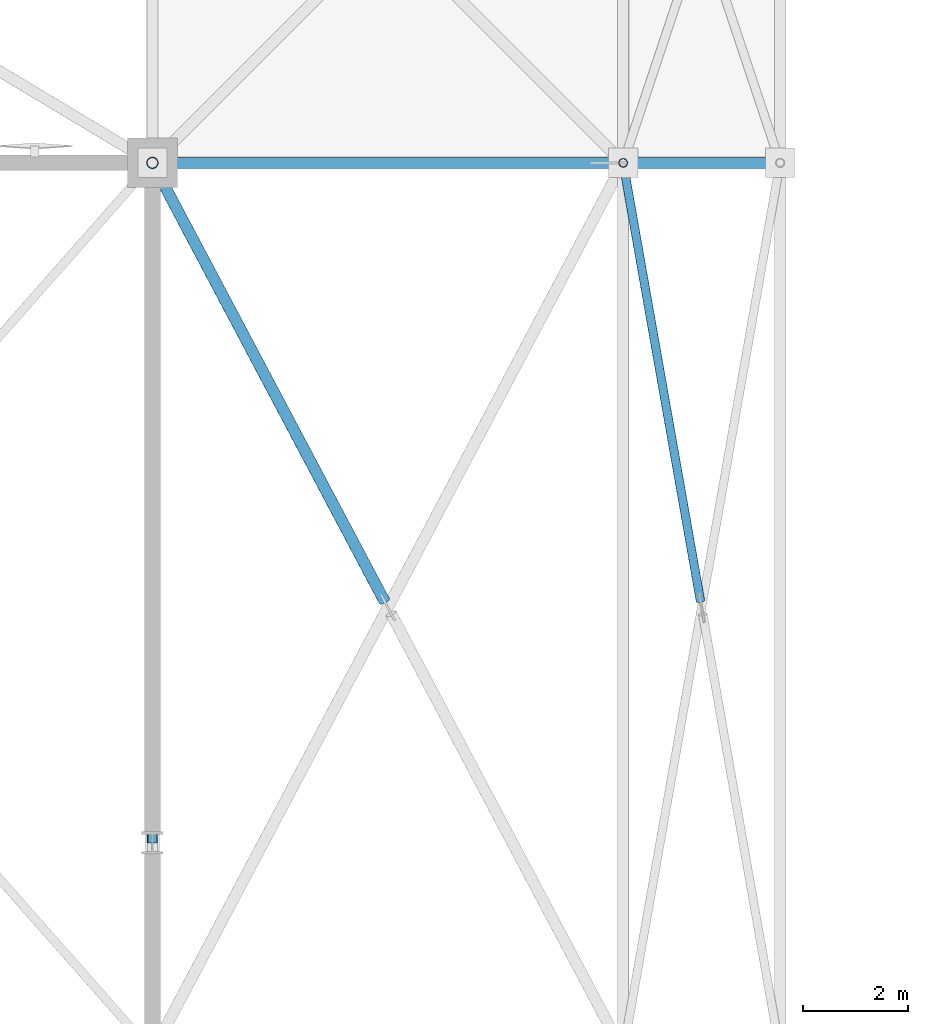
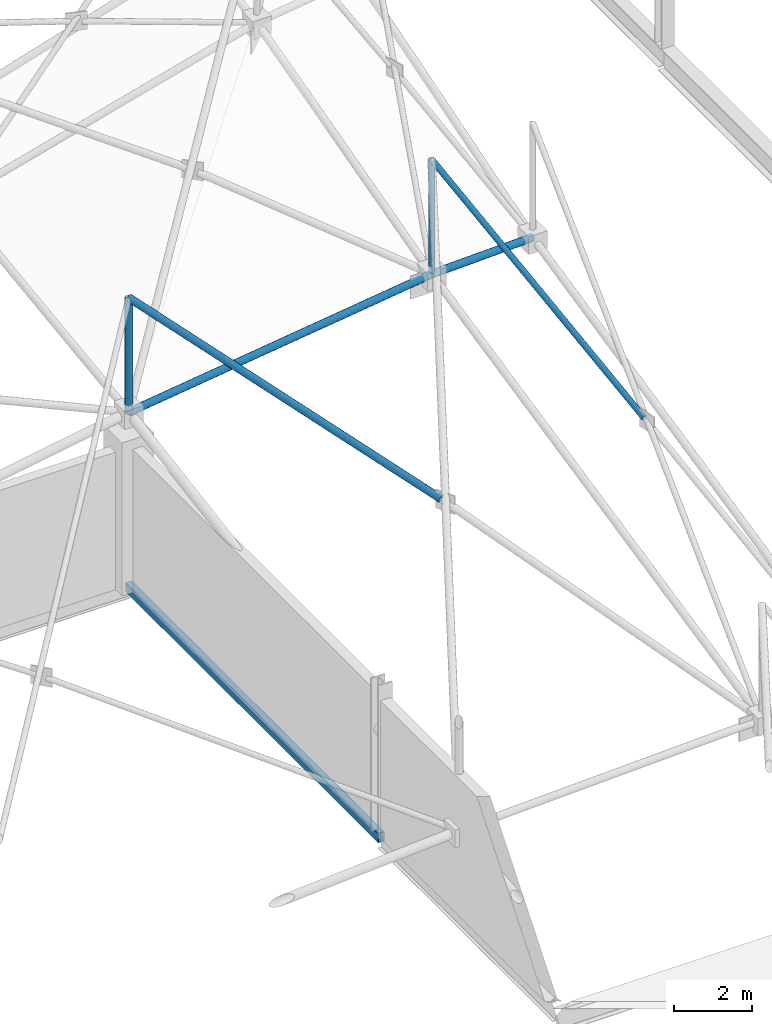
# One storey, part 152 of 224: 6 members, 1 beam.
"""IFC4 building model written with IfcOpenShell, lengths in metres."""

from ifc_helpers import new_model, si_unit, direction, frame, origin, origin_2d, place, context, subcontext, project, spatial, hollow_rectangle, hollow_circle, extrude, material, material_profile, profile_set, type_object, element, save


model = new_model("IFC4")

# Units and contexts
model_context = context("Model", 3, precision=1e-05, world=origin(), true_north=direction((0.0, 1.0)))
body_context = subcontext(model_context, "Body", "Model", "MODEL_VIEW")
ifc_project = project(units=[si_unit("LENGTHUNIT", "METRE"), si_unit("AREAUNIT", "SQUARE_METRE"), si_unit("VOLUMEUNIT", "CUBIC_METRE"), si_unit("PLANEANGLEUNIT", "RADIAN"), si_unit("MASSUNIT", "GRAM", prefix="KILO")], contexts=[model_context])

# Site, building, storey
site_placement = place(None, origin())
site = spatial("IfcSite", under=ifc_project, at=site_placement, CompositionType="ELEMENT")
building_placement = place(site_placement, origin())
building = spatial("IfcBuilding", under=site, at=building_placement, Name="Qamarlyn Nura Convention Centre", CompositionType="ELEMENT")
storey_placement = place(building_placement, frame((0.0, 0.0, 10.800048828125)))
storey = spatial("IfcBuildingStorey", under=building, at=storey_placement, Name="L02", CompositionType="ELEMENT", Elevation=10.800048828125)

# Beam
ifc_material_1 = material(Name="Steel ASTM A500 Grade C", Category="steel")
ifc_material_profile_1 = material_profile(ifc_material_1, hollow_rectangle(XDim=0.199951171875, YDim=0.300048828125, WallThickness=0.012451171875, InnerFilletRadius=0.012451171875, OuterFilletRadius=0.02490234375, at=origin_2d()), Name="HSS300X200X12.5")
ifc_profile_set_1 = profile_set([ifc_material_profile_1], Name="Steel ASTM A500 Grade C")
beam_type = type_object("IfcBeamType", Name="BM-SPAN-HSS", PredefinedType="SPANDREL", material=ifc_profile_set_1)
beam_placement = place(storey_placement, frame((120.0, 90.0, -0.150146484375), z_axis=(0.0, 1.0, 0.0), x_axis=(-1.0, 0.0, 0.0)))
element("IfcBeam", 1, at=beam_placement, inside=storey, type_object=beam_type, Name="L02 girder 9 L-M", PredefinedType="SPANDREL", context=body_context, shape_type="SweptSolid", body=[
    extrude(hollow_rectangle(XDim=0.199951171875, YDim=0.300048828125, WallThickness=0.012451171875, InnerFilletRadius=0.012451171875, OuterFilletRadius=0.02490234375, at=origin_2d()), origin(), (0.0, 0.0, 1.0), 13.0),
])

# Members
ifc_material_2 = material(Name="Pearl-white PVDF steel ASTM A500 Grade C", Category="steel")
ifc_material_profile_2 = material_profile(ifc_material_2, hollow_circle(Radius=0.109619140625, WallThickness=0.010009765625, at=origin_2d()), Name="CHS219.1X10")
ifc_profile_set_2 = profile_set([ifc_material_profile_2], Name="Pearl-white PVDF steel ASTM A500 Grade C")
member_type_1 = type_object("IfcMemberType", Name="SF-BC-EAVE", PredefinedType="CHORD", material=ifc_profile_set_2)
member_1_placement = place(storey_placement, frame((120.0, 103.0, 5.314208984375), z_axis=(0.991351473464, 0.0, 0.131233593492), x_axis=(0.0, 1.0, 0.0)))
element("IfcMember", 2, at=member_1_placement, inside=storey, type_object=member_type_1, Name="ROOF TRUSS space frame bottom chord X10-7", PredefinedType="CHORD", context=body_context, shape_type="SweptSolid", body=[
    extrude(hollow_circle(Radius=0.109619140625, WallThickness=0.010009765625, at=origin_2d()), origin(), (0.0, 0.0, 1.0), 9.07861328125),
])
member_2_placement = place(storey_placement, frame((129.0, 103.0, 6.505615234375), z_axis=(0.999424686189, 0.0, 0.033916023286), x_axis=(0.0, 1.0, 0.0)))
element("IfcMember", 3, at=member_2_placement, inside=storey, type_object=member_type_1, Name="ROOF TRUSS space frame bottom chord X11-7", PredefinedType="CHORD", context=body_context, shape_type="SweptSolid", body=[
    extrude(hollow_circle(Radius=0.109619140625, WallThickness=0.010009765625, at=origin_2d()), origin(), (0.0, 0.0, 1.0), 3.001708984375),
])
ifc_material_profile_3 = material_profile(ifc_material_2, hollow_circle(Radius=0.109619140625, WallThickness=0.010009765625, at=origin_2d()), Name="CHS219.1X10")
ifc_profile_set_3 = profile_set([ifc_material_profile_3], Name="Pearl-white PVDF steel ASTM A500 Grade C")
member_type_2 = type_object("IfcMemberType", Name="SF-WEB-HVY", PredefinedType="BRACE", material=ifc_profile_set_3)
member_3_placement = place(storey_placement, frame((124.4375, 94.617919921875, 6.126220703125), z_axis=(-0.448890650915, 0.847918283334, 0.282013773262), x_axis=(-0.883791047079, -0.467881806766, 0.0)))
element("IfcMember", 4, at=member_3_placement, inside=storey, type_object=member_type_2, Name="ROOF TRUSS space frame split diagonal B2 10-6", PredefinedType="BRACE", context=body_context, shape_type="SweptSolid", body=[
    extrude(hollow_circle(Radius=0.109619140625, WallThickness=0.010009765625, at=origin_2d()), origin(), (0.0, 0.0, 1.0), 9.885498046875),
])
member_4_placement = place(storey_placement, frame((120.0, 103.0, 5.314208984375), z_axis=(0.0, 0.0, 1.0), x_axis=(1.0, 0.0, 0.0)))
element("IfcMember", 5, at=member_4_placement, inside=storey, type_object=member_type_2, Name="ROOF TRUSS space frame vertical 10-7", PredefinedType="BRACE", context=body_context, shape_type="SweptSolid", body=[
    extrude(hollow_circle(Radius=0.109619140625, WallThickness=0.010009765625, at=origin_2d()), origin(), (0.0, 0.0, 1.0), 3.599853515625),
])
ifc_material_profile_4 = material_profile(ifc_material_2, hollow_circle(Radius=0.084228515625, WallThickness=0.008056640625, at=origin_2d()), Name="CHS168.3X8")
ifc_profile_set_4 = profile_set([ifc_material_profile_4], Name="Pearl-white PVDF steel ASTM A500 Grade C")
member_type_3 = type_object("IfcMemberType", Name="SF-WEB-STD", PredefinedType="BRACE", material=ifc_profile_set_4)
member_5_placement = place(storey_placement, frame((130.4775390625, 94.627197265625, 6.554931640625), z_axis=(-0.160360694467, 0.908719434361, 0.385374411819), x_axis=(-0.984783847895, -0.1737836958, 0.0)))
element("IfcMember", 6, at=member_5_placement, inside=storey, type_object=member_type_3, Name="ROOF TRUSS space frame split diagonal B2 11-6", PredefinedType="BRACE", context=body_context, shape_type="SweptSolid", body=[
    extrude(hollow_circle(Radius=0.084228515625, WallThickness=0.008056640625, at=origin_2d()), origin(), (0.0, 0.0, 1.0), 9.2138671875),
])
member_6_placement = place(storey_placement, frame((129.0, 103.0, 6.505615234375), z_axis=(0.0, 0.0, 1.0), x_axis=(1.0, 0.0, 0.0)))
element("IfcMember", 7, at=member_6_placement, inside=storey, type_object=member_type_3, Name="ROOF TRUSS space frame vertical 11-7", PredefinedType="BRACE", context=body_context, shape_type="SweptSolid", body=[
    extrude(hollow_circle(Radius=0.084228515625, WallThickness=0.008056640625, at=origin_2d()), origin(), (0.0, 0.0, 1.0), 3.60009765625),
])

save(model, "model.ifc")
